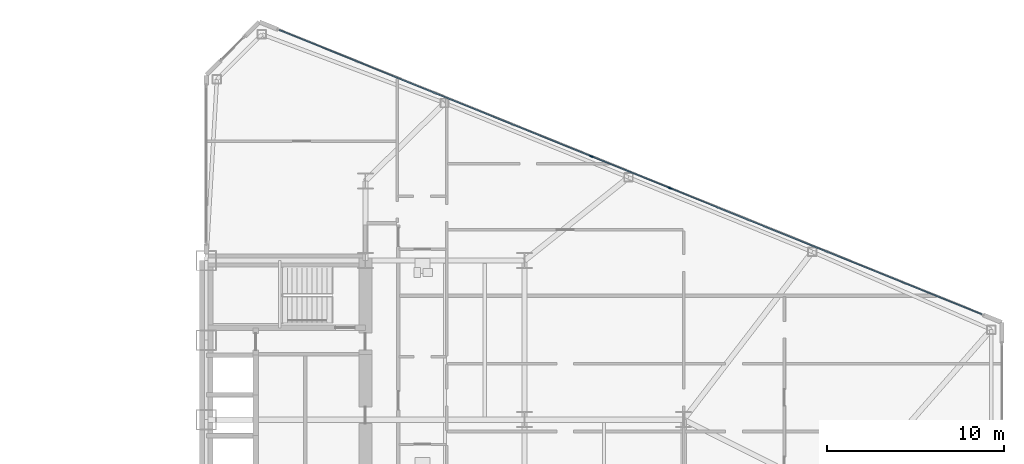
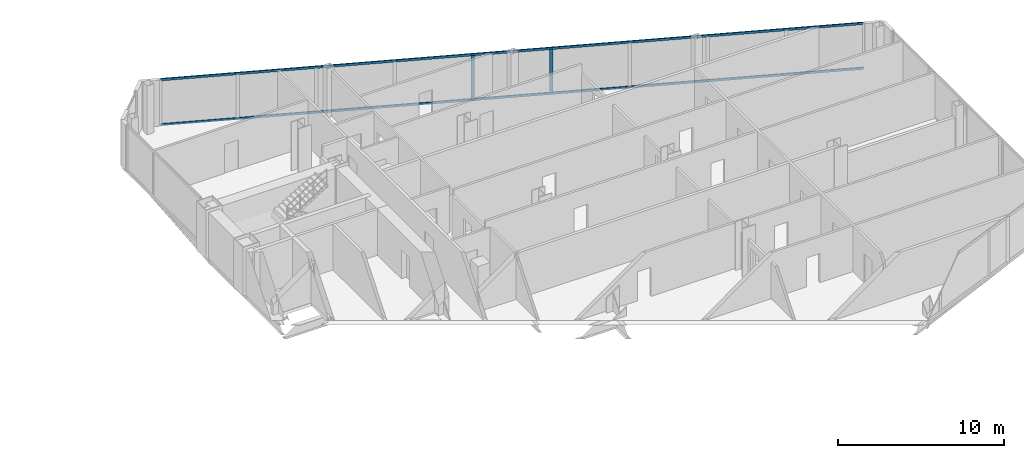
# One storey, part 12 of 25: 4 members, 1 element without a shape of its own.
"""IFC4 building model written with IfcOpenShell, lengths in metres."""

from ifc_helpers import new_model, si_unit, direction, frame, origin, origin_2d, place, context, subcontext, project, spatial, rectangle, extrude, source, transform, mapped, material, layer, layer_set, material_profile, profile_set, type_object, type_shapes, element, aggregate, save


model = new_model("IFC4")

# Units and contexts
model_context = context("Model", 3, precision=1e-05, world=origin(), true_north=direction((0.0, 1.0)))
body_context = subcontext(model_context, "Body", "Model", "MODEL_VIEW")
ifc_project = project(units=[si_unit("LENGTHUNIT", "METRE"), si_unit("AREAUNIT", "SQUARE_METRE"), si_unit("VOLUMEUNIT", "CUBIC_METRE"), si_unit("PLANEANGLEUNIT", "RADIAN"), si_unit("MASSUNIT", "GRAM", prefix="KILO")], contexts=[model_context])

# Site, building, storey
site_placement = place(None, origin())
site = spatial("IfcSite", under=ifc_project, at=site_placement, CompositionType="ELEMENT")
building_placement = place(site_placement, origin())
building = spatial("IfcBuilding", under=site, at=building_placement, Name="Seokmaru Belvedere", CompositionType="ELEMENT")
storey_placement = place(building_placement, frame((0.0, 0.0, 40.5)))
storey = spatial("IfcBuildingStorey", under=building, at=storey_placement, Name="L10", CompositionType="ELEMENT", Elevation=40.5)

# Curtain wall, members
ifc_material_1 = material(Name="Bronze Triple Insulating Glass", Category="glass")
ifc_layer = layer(ifc_material_1, 0.2099609375)
ifc_layer_set = layer_set([ifc_layer], Name="Bronze Triple Insulating Glass")
curtain_wall_type = type_object("IfcCurtainWallType", Name="Low-Rise Faceted Crystal Curtain Wall System CW-2", PredefinedType="NOTDEFINED", material=ifc_layer_set)
curtain_wall_placement = place(storey_placement, origin())
curtain_wall = element("IfcCurtainWall", 1, at=curtain_wall_placement, inside=storey, type_object=curtain_wall_type, Name="L10 Curtain Wall EF3", PredefinedType="NOTDEFINED")
ifc_material_2 = material(Name="Anodised Bronze Aluminium", Category="aluminium")
ifc_material_profile_1 = material_profile(ifc_material_2, rectangle(XDim=0.074951171875, YDim=0.2099609375, at=origin_2d()), Name="CW-M-75x210")
ifc_profile_set_1 = profile_set([ifc_material_profile_1], Name="Anodised Bronze Aluminium")
member_type_1 = type_object("IfcMemberType", Name="Bronze Unitised Mullion 75x210", PredefinedType="MULLION", material=ifc_profile_set_1)
shared_shape_1 = source(origin(), body_context, "Body", "SweptSolid", [
    extrude(rectangle(XDim=0.074951171875, YDim=0.2099609375, at=origin_2d()), origin(), (0.0, 0.0, 1.0), 3.239990234375),
])
type_shapes(member_type_1, [shared_shape_1])
member_1_placement = place(storey_placement, frame((53.71484375, 17.603515625, 0.070068359375), z_axis=(0.0, 0.0, 1.0), x_axis=(-0.375192321888, -0.926946989637, 0.0)))
member_1 = element("IfcMember", 2, at=member_1_placement, type_object=member_type_1, Name="CW:L10:EF3 Mullion 5", PredefinedType="MULLION", context=body_context, shape_type="MappedRepresentation", body=[
    mapped(shared_shape_1, transform((0.0, 0.0, 0.0), scale=1.0)),
])
member_2_placement = place(storey_placement, frame((49.28515625, 19.396484375, 0.070068359375), z_axis=(0.0, 0.0, 1.0), x_axis=(-0.375192321888, -0.926946989637, 0.0)))
member_2 = element("IfcMember", 3, at=member_2_placement, type_object=member_type_1, Name="CW:L10:EF3 Mullion 6", PredefinedType="MULLION", context=body_context, shape_type="MappedRepresentation", body=[
    mapped(shared_shape_1, transform((0.0, 0.0, 0.0), scale=1.0)),
])
ifc_material_profile_2 = material_profile(ifc_material_2, rectangle(XDim=0.070068359375, YDim=0.1650390625, at=origin_2d()), Name="CW-T-70x165")
ifc_profile_set_2 = profile_set([ifc_material_profile_2], Name="Anodised Bronze Aluminium")
member_type_2 = type_object("IfcMemberType", Name="Bronze Unitised Transom 70x165", PredefinedType="USERDEFINED", material=ifc_profile_set_2)
shared_shape_2 = source(origin(), body_context, "Body", "SweptSolid", [
    extrude(rectangle(XDim=0.070068359375, YDim=0.1650390625, at=origin_2d()), origin(), (0.0, 0.0, 1.0), 42.860107421875),
])
type_shapes(member_type_2, [shared_shape_2])
member_3_placement = place(storey_placement, frame((71.364501953125, 10.459716796875, 0.034912109375), z_axis=(-0.926948605599, 0.375188329481, 0.0), x_axis=(-0.375188329481, -0.926948605599, 0.0)))
member_3 = element("IfcMember", 4, at=member_3_placement, type_object=member_type_2, Name="CW:L10:EF3 Continuous Transom 1", ObjectType="TRANSOM", PredefinedType="USERDEFINED", context=body_context, shape_type="MappedRepresentation", body=[
    mapped(shared_shape_2, transform((0.0, 0.0, 0.0), scale=1.0)),
])
member_4_placement = place(storey_placement, frame((71.364501953125, 10.459716796875, 3.344970703125), z_axis=(-0.926948605599, 0.375188329481, 0.0), x_axis=(-0.375188329481, -0.926948605599, 0.0)))
member_4 = element("IfcMember", 5, at=member_4_placement, type_object=member_type_2, Name="CW:L10:EF3 Continuous Transom 2", ObjectType="TRANSOM", PredefinedType="USERDEFINED", context=body_context, shape_type="MappedRepresentation", body=[
    mapped(shared_shape_2, transform((0.0, 0.0, 0.0), scale=1.0)),
])
aggregate(curtain_wall, [member_1, member_2, member_3, member_4])

save(model, "model.ifc")
